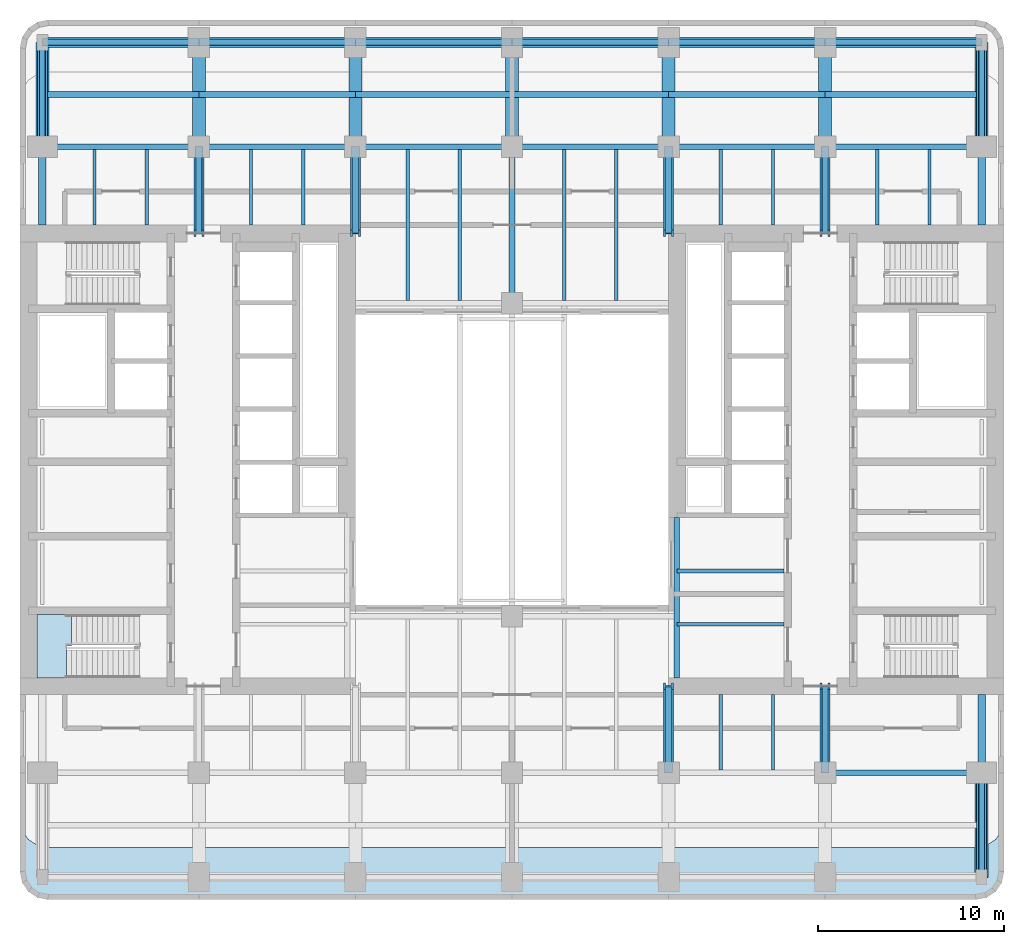
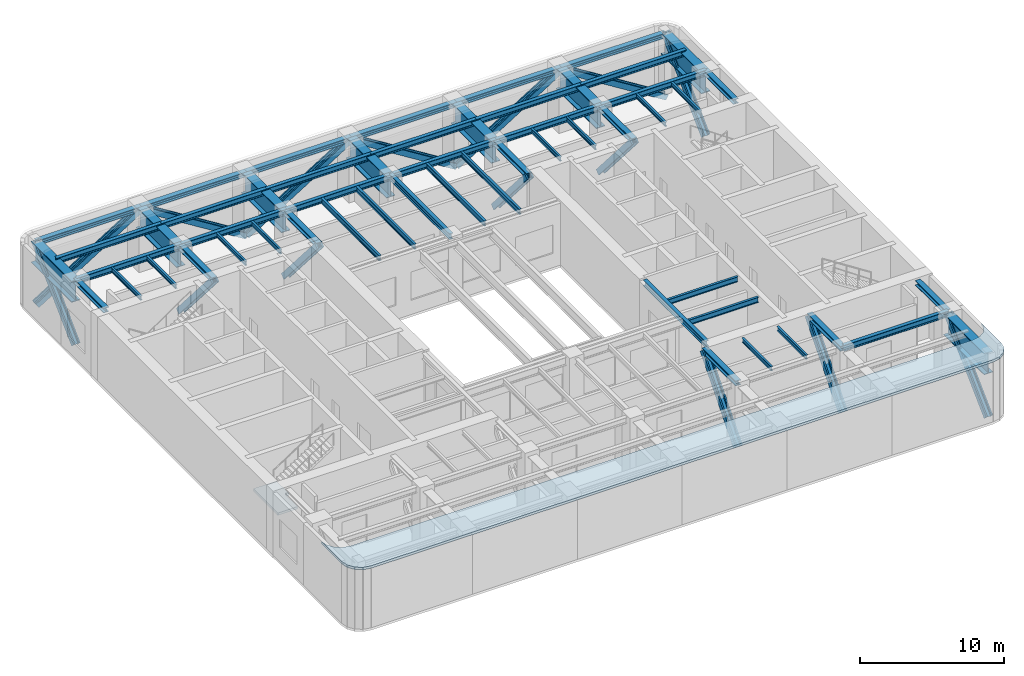
# One storey, part 2 of 10: 54 beams, 15 members, 2 slabs, 1 element without a shape of its own.
"""IFC4 building model written with IfcOpenShell, lengths in metres."""

from ifc_helpers import new_model, si_unit, direction, frame, origin, origin_2d, place, context, subcontext, project, spatial, polyline, i_section, outline, extrude, material, layer, layer_set, material_profile, profile_set, type_object, element, aggregate, save


model = new_model("IFC4")

# Units and contexts
model_context = context("Model", 3, precision=1e-05, world=origin(), true_north=direction((0.0, 1.0)))
body_context = subcontext(model_context, "Body", "Model", "MODEL_VIEW")
ifc_project = project(units=[si_unit("LENGTHUNIT", "METRE"), si_unit("AREAUNIT", "SQUARE_METRE"), si_unit("VOLUMEUNIT", "CUBIC_METRE"), si_unit("PLANEANGLEUNIT", "RADIAN"), si_unit("MASSUNIT", "GRAM", prefix="KILO")], contexts=[model_context])

# Site, building, storey
site_placement = place(None, origin())
site = spatial("IfcSite", under=ifc_project, at=site_placement, CompositionType="ELEMENT")
building_placement = place(site_placement, origin())
building = spatial("IfcBuilding", under=site, at=building_placement, Name="Claustro Exchange Tower", CompositionType="ELEMENT")
storey_placement = place(building_placement, frame((0.0, 0.0, 168.0)))
storey = spatial("IfcBuildingStorey", under=building, at=storey_placement, Name="L38", CompositionType="ELEMENT", Elevation=168.0)

# Beams
ifc_material_1 = material(Name="Steel S355", Category="steel")
ifc_material_profile_1 = material_profile(ifc_material_1, i_section(OverallWidth=0.169921875, OverallDepth=0.360107421875, WebThickness=0.008056640625, FlangeThickness=0.0126953125, FilletRadius=0.01806640625, at=origin_2d()), Name="IPE 360")
ifc_profile_set_1 = profile_set([ifc_material_profile_1], Name="Steel S355")
beam_type_1 = type_object("IfcBeamType", Name="B16 IPE 360 short-span beam", PredefinedType="BEAM", material=ifc_profile_set_1)
for number, where, z_axis, x_axis, name in (
    (1, (2.800048828125, 37.7900390625, 5.070068359375), (0.0, 1.0, 0.0), (-1.0, 0.0, 0.0), "Beam B16 L39"),
    (2, (5.60009765625, 37.7900390625, 5.070068359375), (0.0, 1.0, 0.0), (-1.0, 0.0, 0.0), "Beam B16 L39"),
    (3, (11.199951171875, 37.7900390625, 5.070068359375), (0.0, 1.0, 0.0), (-1.0, 0.0, 0.0), "Beam B16 L39"),
    (4, (14.0, 37.7900390625, 5.070068359375), (0.0, 1.0, 0.0), (-1.0, 0.0, 0.0), "Beam B16 L39"),
    (5, (36.39990234375, 8.550048828125, 5.070068359375), (0.0, 1.0, 0.0), (-1.0, 0.0, 0.0), "Beam B16 L39"),
    (6, (39.199951171875, 8.550048828125, 5.070068359375), (0.0, 1.0, 0.0), (-1.0, 0.0, 0.0), "Beam B16 L39"),
    (7, (36.39990234375, 37.7900390625, 5.070068359375), (0.0, 1.0, 0.0), (-1.0, 0.0, 0.0), "Beam B16 L39"),
    (8, (39.199951171875, 37.7900390625, 5.070068359375), (0.0, 1.0, 0.0), (-1.0, 0.0, 0.0), "Beam B16 L39"),
    (9, (44.800048828125, 37.7900390625, 5.070068359375), (0.0, 1.0, 0.0), (-1.0, 0.0, 0.0), "Beam B16 L39"),
    (10, (47.60009765625, 37.7900390625, 5.070068359375), (0.0, 1.0, 0.0), (-1.0, 0.0, 0.0), "Beam B16 L39"),
):
    element("IfcBeam", number, at=place(storey_placement, frame(where, z_axis=z_axis, x_axis=x_axis)), inside=storey, type_object=beam_type_1, Name=name, PredefinedType="BEAM", context=body_context, shape_type="SweptSolid", body=[
        extrude(i_section(OverallWidth=0.169921875, OverallDepth=0.360107421875, WebThickness=0.008056640625, FlangeThickness=0.0126953125, FilletRadius=0.01806640625, at=origin_2d()), origin(), (0.0, 0.0, 1.0), 4.06005859375),
    ])
ifc_material_2 = material(Name="Steel S355", Category="steel")
ifc_material_profile_2 = material_profile(ifc_material_2, i_section(OverallWidth=0.300048828125, OverallDepth=0.5, WebThickness=0.014404296875, FlangeThickness=0.028076171875, FilletRadius=0.027099609375, at=origin_2d()), Name="HE 500 B")
ifc_profile_set_2 = profile_set([ifc_material_profile_2], Name="Steel S355")
beam_type_2 = type_object("IfcBeamType", Name="B7 HE 500 B floor girder", PredefinedType="BEAM", material=ifc_profile_set_2)
for number, where, z_axis, x_axis, name in (
    (11, (25.199951171875, 33.60009765625, 5.0), (0.0, 1.0, 0.0), (-1.0, 0.0, 0.0), "Beam B7 L39"),
    (12, (42.0, 8.39990234375, 5.0), (1.0, 0.0, 0.0), (0.0, 1.0, 0.0), "Beam B7 L39"),
    (13, (0.0, 42.0, 5.0), (1.0, 0.0, 0.0), (0.0, 1.0, 0.0), "Beam B7 L39"),
):
    element("IfcBeam", number, at=place(storey_placement, frame(where, z_axis=z_axis, x_axis=x_axis)), inside=storey, type_object=beam_type_2, Name=name, PredefinedType="BEAM", context=body_context, shape_type="SweptSolid", body=[
        extrude(i_section(OverallWidth=0.300048828125, OverallDepth=0.5, WebThickness=0.014404296875, FlangeThickness=0.028076171875, FilletRadius=0.027099609375, at=origin_2d()), origin(), (0.0, 0.0, 1.0), 8.39990234375),
    ])
beam_1_placement = place(storey_placement, frame((8.39990234375, 42.0, 5.0), z_axis=(1.0, 0.0, 0.0), x_axis=(0.0, 1.0, 0.0)))
element("IfcBeam", 14, at=beam_1_placement, inside=storey, type_object=beam_type_2, Name="Beam B7 L39", PredefinedType="BEAM", context=body_context, shape_type="SweptSolid", body=[
    extrude(i_section(OverallWidth=0.300048828125, OverallDepth=0.5, WebThickness=0.014404296875, FlangeThickness=0.028076171875, FilletRadius=0.027099609375, at=origin_2d()), origin(), (0.0, 0.0, 1.0), 8.400146484375),
])
beam_2_placement = place(storey_placement, frame((16.800048828125, 42.0, 5.0), z_axis=(1.0, 0.0, 0.0), x_axis=(0.0, 1.0, 0.0)))
element("IfcBeam", 15, at=beam_2_placement, inside=storey, type_object=beam_type_2, Name="Beam B7 L39", PredefinedType="BEAM", context=body_context, shape_type="SweptSolid", body=[
    extrude(i_section(OverallWidth=0.300048828125, OverallDepth=0.5, WebThickness=0.014404296875, FlangeThickness=0.028076171875, FilletRadius=0.027099609375, at=origin_2d()), origin(), (0.0, 0.0, 1.0), 8.39990234375),
])
beam_3_placement = place(storey_placement, frame((25.199951171875, 42.0, 5.0), z_axis=(1.0, 0.0, 0.0), x_axis=(0.0, 1.0, 0.0)))
element("IfcBeam", 16, at=beam_3_placement, inside=storey, type_object=beam_type_2, Name="Beam B7 L39", PredefinedType="BEAM", context=body_context, shape_type="SweptSolid", body=[
    extrude(i_section(OverallWidth=0.300048828125, OverallDepth=0.5, WebThickness=0.014404296875, FlangeThickness=0.028076171875, FilletRadius=0.027099609375, at=origin_2d()), origin(), (0.0, 0.0, 1.0), 8.400146484375),
])
for number, where, z_axis, x_axis, name in (
    (17, (33.60009765625, 42.0, 5.0), (1.0, 0.0, 0.0), (0.0, 1.0, 0.0), "Beam B7 L39"),
    (18, (42.0, 42.0, 5.0), (1.0, 0.0, 0.0), (0.0, 1.0, 0.0), "Beam B7 L39"),
):
    element("IfcBeam", number, at=place(storey_placement, frame(where, z_axis=z_axis, x_axis=x_axis)), inside=storey, type_object=beam_type_2, Name=name, PredefinedType="BEAM", context=body_context, shape_type="SweptSolid", body=[
        extrude(i_section(OverallWidth=0.300048828125, OverallDepth=0.5, WebThickness=0.014404296875, FlangeThickness=0.028076171875, FilletRadius=0.027099609375, at=origin_2d()), origin(), (0.0, 0.0, 1.0), 8.39990234375),
    ])
beam_4_placement = place(storey_placement, frame((34.050048828125, 13.5, 5.0), z_axis=(0.0, 1.0, 0.0), x_axis=(-1.0, 0.0, 0.0)))
element("IfcBeam", 19, at=beam_4_placement, inside=storey, type_object=beam_type_2, Name="Beam B7 core step framing L39", PredefinedType="BEAM", context=body_context, shape_type="SweptSolid", body=[
    extrude(i_section(OverallWidth=0.300048828125, OverallDepth=0.5, WebThickness=0.014404296875, FlangeThickness=0.028076171875, FilletRadius=0.027099609375, at=origin_2d()), origin(), (0.0, 0.0, 1.0), 8.60009765625),
])
ifc_material_3 = material(Name="Steel S355", Category="steel")
ifc_material_profile_3 = material_profile(ifc_material_3, i_section(OverallWidth=0.18994140625, OverallDepth=0.449951171875, WebThickness=0.009521484375, FlangeThickness=0.0146484375, FilletRadius=0.02099609375, at=origin_2d()), Name="IPE 450")
ifc_profile_set_3 = profile_set([ifc_material_profile_3], Name="Steel S355")
beam_type_3 = type_object("IfcBeamType", Name="B8 IPE 450 secondary beam", PredefinedType="BEAM", material=ifc_profile_set_3)
for number, where, z_axis, x_axis, name in (
    (20, (19.60009765625, 33.75, 5.02490234375), (0.0, 1.0, 0.0), (-1.0, 0.0, 0.0), "Beam B8 L39"),
    (21, (22.39990234375, 33.75, 5.02490234375), (0.0, 1.0, 0.0), (-1.0, 0.0, 0.0), "Beam B8 L39"),
    (22, (28.0, 33.75, 5.02490234375), (0.0, 1.0, 0.0), (-1.0, 0.0, 0.0), "Beam B8 L39"),
    (23, (30.800048828125, 33.75, 5.02490234375), (0.0, 1.0, 0.0), (-1.0, 0.0, 0.0), "Beam B8 L39"),
):
    element("IfcBeam", number, at=place(storey_placement, frame(where, z_axis=z_axis, x_axis=x_axis)), inside=storey, type_object=beam_type_3, Name=name, PredefinedType="BEAM", context=body_context, shape_type="SweptSolid", body=[
        extrude(i_section(OverallWidth=0.18994140625, OverallDepth=0.449951171875, WebThickness=0.009521484375, FlangeThickness=0.0146484375, FilletRadius=0.02099609375, at=origin_2d()), origin(), (0.0, 0.0, 1.0), 8.10009765625),
    ])
for number, where, z_axis, x_axis, name in (
    (24, (34.050048828125, 16.36669921875, 5.02490234375), (1.0, 0.0, 0.0), (0.0, 1.0, 0.0), "Beam B8 core step framing L39"),
    (25, (34.050048828125, 19.2333984375, 5.02490234375), (1.0, 0.0, 0.0), (0.0, 1.0, 0.0), "Beam B8 core step framing L39"),
):
    element("IfcBeam", number, at=place(storey_placement, frame(where, z_axis=z_axis, x_axis=x_axis)), inside=storey, type_object=beam_type_3, Name=name, PredefinedType="BEAM", context=body_context, shape_type="SweptSolid", body=[
        extrude(i_section(OverallWidth=0.18994140625, OverallDepth=0.449951171875, WebThickness=0.009521484375, FlangeThickness=0.0146484375, FilletRadius=0.02099609375, at=origin_2d()), origin(), (0.0, 0.0, 1.0), 5.75),
    ])
ifc_material_4 = material(Name="Steel S355", Category="steel")
ifc_material_profile_4 = material_profile(ifc_material_4, i_section(OverallWidth=0.300048828125, OverallDepth=0.489990234375, WebThickness=0.011962890625, FlangeThickness=0.02294921875, FilletRadius=0.027099609375, at=origin_2d()), Name="HE 500 A")
ifc_profile_set_4 = profile_set([ifc_material_profile_4], Name="Steel S355")
beam_type_4 = type_object("IfcBeamType", Name="B9 HE 500 A spandrel edge girder", PredefinedType="SPANDREL", material=ifc_profile_set_4)
beam_5_placement = place(storey_placement, frame((0.0, 44.800048828125, 5.0048828125), z_axis=(1.0, 0.0, 0.0), x_axis=(0.0, 1.0, 0.0)))
element("IfcBeam", 26, at=beam_5_placement, inside=storey, type_object=beam_type_4, Name="Beam B9 L39", PredefinedType="SPANDREL", context=body_context, shape_type="SweptSolid", body=[
    extrude(i_section(OverallWidth=0.300048828125, OverallDepth=0.489990234375, WebThickness=0.011962890625, FlangeThickness=0.02294921875, FilletRadius=0.027099609375, at=origin_2d()), origin(), (0.0, 0.0, 1.0), 8.39990234375),
])
beam_6_placement = place(storey_placement, frame((8.39990234375, 44.800048828125, 5.0048828125), z_axis=(1.0, 0.0, 0.0), x_axis=(0.0, 1.0, 0.0)))
element("IfcBeam", 27, at=beam_6_placement, inside=storey, type_object=beam_type_4, Name="Beam B9 L39", PredefinedType="SPANDREL", context=body_context, shape_type="SweptSolid", body=[
    extrude(i_section(OverallWidth=0.300048828125, OverallDepth=0.489990234375, WebThickness=0.011962890625, FlangeThickness=0.02294921875, FilletRadius=0.027099609375, at=origin_2d()), origin(), (0.0, 0.0, 1.0), 8.400146484375),
])
beam_7_placement = place(storey_placement, frame((16.800048828125, 44.800048828125, 5.0048828125), z_axis=(1.0, 0.0, 0.0), x_axis=(0.0, 1.0, 0.0)))
element("IfcBeam", 28, at=beam_7_placement, inside=storey, type_object=beam_type_4, Name="Beam B9 L39", PredefinedType="SPANDREL", context=body_context, shape_type="SweptSolid", body=[
    extrude(i_section(OverallWidth=0.300048828125, OverallDepth=0.489990234375, WebThickness=0.011962890625, FlangeThickness=0.02294921875, FilletRadius=0.027099609375, at=origin_2d()), origin(), (0.0, 0.0, 1.0), 8.39990234375),
])
beam_8_placement = place(storey_placement, frame((25.199951171875, 44.800048828125, 5.0048828125), z_axis=(1.0, 0.0, 0.0), x_axis=(0.0, 1.0, 0.0)))
element("IfcBeam", 29, at=beam_8_placement, inside=storey, type_object=beam_type_4, Name="Beam B9 L39", PredefinedType="SPANDREL", context=body_context, shape_type="SweptSolid", body=[
    extrude(i_section(OverallWidth=0.300048828125, OverallDepth=0.489990234375, WebThickness=0.011962890625, FlangeThickness=0.02294921875, FilletRadius=0.027099609375, at=origin_2d()), origin(), (0.0, 0.0, 1.0), 8.400146484375),
])
for number, where, z_axis, x_axis, name in (
    (30, (33.60009765625, 44.800048828125, 5.0048828125), (1.0, 0.0, 0.0), (0.0, 1.0, 0.0), "Beam B9 L39"),
    (31, (42.0, 44.800048828125, 5.0048828125), (1.0, 0.0, 0.0), (0.0, 1.0, 0.0), "Beam B9 L39"),
):
    element("IfcBeam", number, at=place(storey_placement, frame(where, z_axis=z_axis, x_axis=x_axis)), inside=storey, type_object=beam_type_4, Name=name, PredefinedType="SPANDREL", context=body_context, shape_type="SweptSolid", body=[
        extrude(i_section(OverallWidth=0.300048828125, OverallDepth=0.489990234375, WebThickness=0.011962890625, FlangeThickness=0.02294921875, FilletRadius=0.027099609375, at=origin_2d()), origin(), (0.0, 0.0, 1.0), 8.39990234375),
    ])
ifc_material_5 = material(Name="Steel S460", Category="steel")
ifc_material_profile_5 = material_profile(ifc_material_5, i_section(OverallWidth=0.404052734375, OverallDepth=0.406982421875, WebThickness=0.027099609375, FlangeThickness=0.043701171875, FilletRadius=0.014892578125, at=origin_2d()), Name="HD 400x347")
ifc_profile_set_5 = profile_set([ifc_material_profile_5], Name="Steel S460")
beam_type_5 = type_object("IfcBeamType", Name="BT3 HD 400x347 belt truss chord", PredefinedType="BEAM", material=ifc_profile_set_5)
beam_9_placement = place(storey_placement, frame((0.0, 37.800048828125, 5.04638671875), z_axis=(0.0, 1.0, 0.0), x_axis=(-1.0, 0.0, 0.0)))
element("IfcBeam", 32, at=beam_9_placement, inside=storey, type_object=beam_type_5, Name="Beam BT3 L39", PredefinedType="BEAM", context=body_context, shape_type="SweptSolid", body=[
    extrude(i_section(OverallWidth=0.404052734375, OverallDepth=0.406982421875, WebThickness=0.027099609375, FlangeThickness=0.043701171875, FilletRadius=0.014892578125, at=origin_2d()), origin(), (0.0, 0.0, 1.0), 4.199951171875),
])
beam_10_placement = place(storey_placement, frame((50.39990234375, 8.39990234375, 5.04638671875), z_axis=(0.0, 1.0, 0.0), x_axis=(-1.0, 0.0, 0.0)))
element("IfcBeam", 33, at=beam_10_placement, inside=storey, type_object=beam_type_5, Name="Beam BT3 L39", PredefinedType="BEAM", context=body_context, shape_type="SweptSolid", body=[
    extrude(i_section(OverallWidth=0.404052734375, OverallDepth=0.406982421875, WebThickness=0.027099609375, FlangeThickness=0.043701171875, FilletRadius=0.014892578125, at=origin_2d()), origin(), (0.0, 0.0, 1.0), 4.2001953125),
])
beam_11_placement = place(storey_placement, frame((50.39990234375, 37.800048828125, 5.04638671875), z_axis=(0.0, 1.0, 0.0), x_axis=(-1.0, 0.0, 0.0)))
element("IfcBeam", 34, at=beam_11_placement, inside=storey, type_object=beam_type_5, Name="Beam BT3 L39", PredefinedType="BEAM", context=body_context, shape_type="SweptSolid", body=[
    extrude(i_section(OverallWidth=0.404052734375, OverallDepth=0.406982421875, WebThickness=0.027099609375, FlangeThickness=0.043701171875, FilletRadius=0.014892578125, at=origin_2d()), origin(), (0.0, 0.0, 1.0), 4.199951171875),
])
beam_12_placement = place(storey_placement, frame((0.0, 47.60009765625, 4.83642578125), z_axis=(1.0, 0.0, 0.0), x_axis=(0.0, 1.0, 0.0)))
element("IfcBeam", 35, at=beam_12_placement, inside=storey, type_object=beam_type_5, Name="Beam BT3 L39", PredefinedType="BEAM", context=body_context, shape_type="SweptSolid", body=[
    extrude(i_section(OverallWidth=0.404052734375, OverallDepth=0.406982421875, WebThickness=0.027099609375, FlangeThickness=0.043701171875, FilletRadius=0.014892578125, at=origin_2d()), origin(), (0.0, 0.0, 1.0), 8.39990234375),
])
beam_13_placement = place(storey_placement, frame((8.39990234375, 47.60009765625, 4.83642578125), z_axis=(1.0, 0.0, 0.0), x_axis=(0.0, 1.0, 0.0)))
element("IfcBeam", 36, at=beam_13_placement, inside=storey, type_object=beam_type_5, Name="Beam BT3 L39", PredefinedType="BEAM", context=body_context, shape_type="SweptSolid", body=[
    extrude(i_section(OverallWidth=0.404052734375, OverallDepth=0.406982421875, WebThickness=0.027099609375, FlangeThickness=0.043701171875, FilletRadius=0.014892578125, at=origin_2d()), origin(), (0.0, 0.0, 1.0), 8.400146484375),
])
beam_14_placement = place(storey_placement, frame((16.800048828125, 47.60009765625, 4.83642578125), z_axis=(1.0, 0.0, 0.0), x_axis=(0.0, 1.0, 0.0)))
element("IfcBeam", 37, at=beam_14_placement, inside=storey, type_object=beam_type_5, Name="Beam BT3 L39", PredefinedType="BEAM", context=body_context, shape_type="SweptSolid", body=[
    extrude(i_section(OverallWidth=0.404052734375, OverallDepth=0.406982421875, WebThickness=0.027099609375, FlangeThickness=0.043701171875, FilletRadius=0.014892578125, at=origin_2d()), origin(), (0.0, 0.0, 1.0), 8.39990234375),
])
beam_15_placement = place(storey_placement, frame((25.199951171875, 47.60009765625, 4.83642578125), z_axis=(1.0, 0.0, 0.0), x_axis=(0.0, 1.0, 0.0)))
element("IfcBeam", 38, at=beam_15_placement, inside=storey, type_object=beam_type_5, Name="Beam BT3 L39", PredefinedType="BEAM", context=body_context, shape_type="SweptSolid", body=[
    extrude(i_section(OverallWidth=0.404052734375, OverallDepth=0.406982421875, WebThickness=0.027099609375, FlangeThickness=0.043701171875, FilletRadius=0.014892578125, at=origin_2d()), origin(), (0.0, 0.0, 1.0), 8.400146484375),
])
for number, where, z_axis, x_axis, name in (
    (39, (33.60009765625, 47.60009765625, 4.83642578125), (1.0, 0.0, 0.0), (0.0, 1.0, 0.0), "Beam BT3 L39"),
    (40, (42.0, 47.60009765625, 4.83642578125), (1.0, 0.0, 0.0), (0.0, 1.0, 0.0), "Beam BT3 L39"),
):
    element("IfcBeam", number, at=place(storey_placement, frame(where, z_axis=z_axis, x_axis=x_axis)), inside=storey, type_object=beam_type_5, Name=name, PredefinedType="BEAM", context=body_context, shape_type="SweptSolid", body=[
        extrude(i_section(OverallWidth=0.404052734375, OverallDepth=0.406982421875, WebThickness=0.027099609375, FlangeThickness=0.043701171875, FilletRadius=0.014892578125, at=origin_2d()), origin(), (0.0, 0.0, 1.0), 8.39990234375),
    ])

# Members
ifc_material_6 = material(Name="Steel S460", Category="steel")
ifc_material_profile_6 = material_profile(ifc_material_6, i_section(OverallWidth=0.44189453125, OverallDepth=0.531005859375, WebThickness=0.06591796875, FlangeThickness=0.10595703125, FilletRadius=0.014892578125, at=origin_2d()), Name="HD 400x900")
ifc_profile_set_6 = profile_set([ifc_material_profile_6], Name="Steel S460")
member_type_1 = type_object("IfcMemberType", Name="BT4 HD 400x900 belt truss diagonal", PredefinedType="BRACE", material=ifc_profile_set_6)
for number, where, z_axis, x_axis, name in (
    (41, (0.0, 47.60009765625, -0.403564453125), (0.84844963308, 0.0, 0.529276128431), (-0.529276128431, 0.0, 0.84844963308), "Belt truss diagonal BT4 L38"),
    (42, (16.800048828125, 47.60009765625, -0.403564453125), (-0.848456540929, 0.0, 0.529265054726), (0.529265054726, 0.0, 0.848456540929), "Belt truss diagonal BT4 L38"),
    (43, (16.800048828125, 47.60009765625, -0.403564453125), (0.84844963308, 0.0, 0.529276128431), (-0.529276128431, 0.0, 0.84844963308), "Belt truss diagonal BT4 L38"),
    (44, (33.60009765625, 47.60009765625, -0.403564453125), (-0.848456540929, 0.0, 0.529265054726), (0.529265054726, 0.0, 0.848456540929), "Belt truss diagonal BT4 L38"),
    (45, (33.60009765625, 47.60009765625, -0.403564453125), (0.84844963308, 0.0, 0.529276128431), (-0.529276128431, 0.0, 0.84844963308), "Belt truss diagonal BT4 L38"),
    (46, (50.39990234375, 47.60009765625, -0.403564453125), (-0.84844963308, 0.0, 0.529276128431), (0.529276128431, 0.0, 0.84844963308), "Belt truss diagonal BT4 L38"),
):
    element("IfcMember", number, at=place(storey_placement, frame(where, z_axis=z_axis, x_axis=x_axis)), inside=storey, type_object=member_type_1, Name=name, PredefinedType="BRACE", context=body_context, shape_type="SweptSolid", body=[
        extrude(i_section(OverallWidth=0.44189453125, OverallDepth=0.531005859375, WebThickness=0.06591796875, FlangeThickness=0.10595703125, FilletRadius=0.014892578125, at=origin_2d()), origin(), (0.0, 0.0, 1.0), 9.900390625),
    ])
for number, where, z_axis, x_axis, name in (
    (47, (0.0, 42.0, -0.403564453125), (0.0, 0.71664869276, 0.697434334662), (0.0, -0.697434334662, 0.71664869276), "Belt truss diagonal BT4 L38"),
    (48, (50.39990234375, 2.800048828125, -0.403564453125), (0.0, 0.716633495265, 0.697449950508), (0.0, -0.697449950508, 0.716633495265), "Belt truss diagonal BT4 L38"),
    (49, (50.39990234375, 42.0, -0.403564453125), (0.0, 0.71664869276, 0.697434334662), (0.0, -0.697434334662, 0.71664869276), "Belt truss diagonal BT4 L38"),
):
    element("IfcMember", number, at=place(storey_placement, frame(where, z_axis=z_axis, x_axis=x_axis)), inside=storey, type_object=member_type_1, Name=name, PredefinedType="BRACE", context=body_context, shape_type="SweptSolid", body=[
        extrude(i_section(OverallWidth=0.44189453125, OverallDepth=0.531005859375, WebThickness=0.06591796875, FlangeThickness=0.10595703125, FilletRadius=0.014892578125, at=origin_2d()), origin(), (0.0, 0.0, 1.0), 7.814208984375),
    ])

# Beams
ifc_material_7 = material(Name="Steel S460", Category="steel")
ifc_material_profile_7 = material_profile(ifc_material_7, i_section(OverallWidth=0.422119140625, OverallDepth=0.425048828125, WebThickness=0.035888671875, FlangeThickness=0.05810546875, FilletRadius=0.014892578125, at=origin_2d()), Name="HD 400x463")
ifc_profile_set_7 = profile_set([ifc_material_profile_7], Name="Steel S460")
beam_type_6 = type_object("IfcBeamType", Name="OT3 HD 400x463 OUTRIGGER truss chord", PredefinedType="BEAM", material=ifc_profile_set_7)
for number, where, z_axis, x_axis, name in (
    (50, (8.39990234375, 37.35009765625, 4.9375), (0.0, 1.0, 0.0), (-1.0, 0.0, 0.0), "Beam OT3 L39"),
    (51, (16.800048828125, 37.35009765625, 4.9375), (0.0, 1.0, 0.0), (-1.0, 0.0, 0.0), "Beam OT3 L39"),
):
    element("IfcBeam", number, at=place(storey_placement, frame(where, z_axis=z_axis, x_axis=x_axis)), inside=storey, type_object=beam_type_6, Name=name, PredefinedType="BEAM", context=body_context, shape_type="SweptSolid", body=[
        extrude(i_section(OverallWidth=0.422119140625, OverallDepth=0.425048828125, WebThickness=0.035888671875, FlangeThickness=0.05810546875, FilletRadius=0.014892578125, at=origin_2d()), origin(), (0.0, 0.0, 1.0), 4.64990234375),
    ])
beam_16_placement = place(storey_placement, frame((33.60009765625, 8.39990234375, 4.9375), z_axis=(0.0, 1.0, 0.0), x_axis=(-1.0, 0.0, 0.0)))
element("IfcBeam", 52, at=beam_16_placement, inside=storey, type_object=beam_type_6, Name="Beam OT3 L39", PredefinedType="BEAM", context=body_context, shape_type="SweptSolid", body=[
    extrude(i_section(OverallWidth=0.422119140625, OverallDepth=0.425048828125, WebThickness=0.035888671875, FlangeThickness=0.05810546875, FilletRadius=0.014892578125, at=origin_2d()), origin(), (0.0, 0.0, 1.0), 4.650146484375),
])
beam_17_placement = place(storey_placement, frame((33.60009765625, 37.35009765625, 4.9375), z_axis=(0.0, 1.0, 0.0), x_axis=(-1.0, 0.0, 0.0)))
element("IfcBeam", 53, at=beam_17_placement, inside=storey, type_object=beam_type_6, Name="Beam OT3 L39", PredefinedType="BEAM", context=body_context, shape_type="SweptSolid", body=[
    extrude(i_section(OverallWidth=0.422119140625, OverallDepth=0.425048828125, WebThickness=0.035888671875, FlangeThickness=0.05810546875, FilletRadius=0.014892578125, at=origin_2d()), origin(), (0.0, 0.0, 1.0), 4.64990234375),
])
beam_18_placement = place(storey_placement, frame((42.0, 8.39990234375, 4.9375), z_axis=(0.0, 1.0, 0.0), x_axis=(-1.0, 0.0, 0.0)))
element("IfcBeam", 54, at=beam_18_placement, inside=storey, type_object=beam_type_6, Name="Beam OT3 L39", PredefinedType="BEAM", context=body_context, shape_type="SweptSolid", body=[
    extrude(i_section(OverallWidth=0.422119140625, OverallDepth=0.425048828125, WebThickness=0.035888671875, FlangeThickness=0.05810546875, FilletRadius=0.014892578125, at=origin_2d()), origin(), (0.0, 0.0, 1.0), 4.650146484375),
])
beam_19_placement = place(storey_placement, frame((42.0, 37.35009765625, 4.9375), z_axis=(0.0, 1.0, 0.0), x_axis=(-1.0, 0.0, 0.0)))
element("IfcBeam", 55, at=beam_19_placement, inside=storey, type_object=beam_type_6, Name="Beam OT3 L39", PredefinedType="BEAM", context=body_context, shape_type="SweptSolid", body=[
    extrude(i_section(OverallWidth=0.422119140625, OverallDepth=0.425048828125, WebThickness=0.035888671875, FlangeThickness=0.05810546875, FilletRadius=0.014892578125, at=origin_2d()), origin(), (0.0, 0.0, 1.0), 4.64990234375),
])

# Members
ifc_material_8 = material(Name="Steel S460", Category="steel")
ifc_material_profile_8 = material_profile(ifc_material_8, i_section(OverallWidth=0.447998046875, OverallDepth=0.550048828125, WebThickness=0.072021484375, FlangeThickness=0.114990234375, FilletRadius=0.014892578125, at=origin_2d()), Name="HD 400x990")
ifc_profile_set_8 = profile_set([ifc_material_profile_8], Name="Steel S460")
member_type_2 = type_object("IfcMemberType", Name="OT4 HD 400x990 OUTRIGGER truss diagonal", PredefinedType="BRACE", material=ifc_profile_set_8)
for number, where, z_axis, x_axis, name in (
    (56, (8.39990234375, 42.0, -0.46240234375), (0.0, -0.652522042429, 0.757769743487), (0.0, 0.757769743487, 0.652522042429), "Outrigger truss diagonal OT4 L38"),
    (57, (16.800048828125, 42.0, -0.46240234375), (0.0, -0.652522042429, 0.757769743487), (0.0, 0.757769743487, 0.652522042429), "Outrigger truss diagonal OT4 L38"),
):
    element("IfcMember", number, at=place(storey_placement, frame(where, z_axis=z_axis, x_axis=x_axis)), inside=storey, type_object=member_type_2, Name=name, PredefinedType="BRACE", context=body_context, shape_type="SweptSolid", body=[
        extrude(i_section(OverallWidth=0.447998046875, OverallDepth=0.550048828125, WebThickness=0.072021484375, FlangeThickness=0.114990234375, FilletRadius=0.014892578125, at=origin_2d()), origin(), (0.0, 0.0, 1.0), 7.1259765625),
    ])
member_1_placement = place(storey_placement, frame((33.60009765625, 8.39990234375, -0.46240234375), z_axis=(0.0, 0.652541714558, 0.757752803203), x_axis=(0.0, -0.757752803203, 0.652541714558)))
element("IfcMember", 58, at=member_1_placement, inside=storey, type_object=member_type_2, Name="Outrigger truss diagonal OT4 L38", PredefinedType="BRACE", context=body_context, shape_type="SweptSolid", body=[
    extrude(i_section(OverallWidth=0.447998046875, OverallDepth=0.550048828125, WebThickness=0.072021484375, FlangeThickness=0.114990234375, FilletRadius=0.014892578125, at=origin_2d()), origin(), (0.0, 0.0, 1.0), 7.126220703125),
])
member_2_placement = place(storey_placement, frame((33.60009765625, 42.0, -0.46240234375), z_axis=(0.0, -0.652522042429, 0.757769743487), x_axis=(0.0, 0.757769743487, 0.652522042429)))
element("IfcMember", 59, at=member_2_placement, inside=storey, type_object=member_type_2, Name="Outrigger truss diagonal OT4 L38", PredefinedType="BRACE", context=body_context, shape_type="SweptSolid", body=[
    extrude(i_section(OverallWidth=0.447998046875, OverallDepth=0.550048828125, WebThickness=0.072021484375, FlangeThickness=0.114990234375, FilletRadius=0.014892578125, at=origin_2d()), origin(), (0.0, 0.0, 1.0), 7.1259765625),
])
member_3_placement = place(storey_placement, frame((42.0, 8.39990234375, -0.46240234375), z_axis=(0.0, 0.652541714558, 0.757752803203), x_axis=(0.0, -0.757752803203, 0.652541714558)))
element("IfcMember", 60, at=member_3_placement, inside=storey, type_object=member_type_2, Name="Outrigger truss diagonal OT4 L38", PredefinedType="BRACE", context=body_context, shape_type="SweptSolid", body=[
    extrude(i_section(OverallWidth=0.447998046875, OverallDepth=0.550048828125, WebThickness=0.072021484375, FlangeThickness=0.114990234375, FilletRadius=0.014892578125, at=origin_2d()), origin(), (0.0, 0.0, 1.0), 7.126220703125),
])
member_4_placement = place(storey_placement, frame((42.0, 42.0, -0.46240234375), z_axis=(0.0, -0.652522042429, 0.757769743487), x_axis=(0.0, 0.757769743487, 0.652522042429)))
element("IfcMember", 61, at=member_4_placement, inside=storey, type_object=member_type_2, Name="Outrigger truss diagonal OT4 L38", PredefinedType="BRACE", context=body_context, shape_type="SweptSolid", body=[
    extrude(i_section(OverallWidth=0.447998046875, OverallDepth=0.550048828125, WebThickness=0.072021484375, FlangeThickness=0.114990234375, FilletRadius=0.014892578125, at=origin_2d()), origin(), (0.0, 0.0, 1.0), 7.1259765625),
])

# Beams
ifc_material_9 = material(Name="Steel S460", Category="steel")
ifc_material_profile_9 = material_profile(ifc_material_9, i_section(OverallWidth=0.699951171875, OverallDepth=1.800048828125, WebThickness=0.0400390625, FlangeThickness=0.06005859375, at=origin_2d()), Name="PG 1800x700")
ifc_profile_set_9 = profile_set([ifc_material_profile_9], Name="Steel S460")
beam_type_7 = type_object("IfcBeamType", Name="TG2 PG 1800x700 transfer girder", PredefinedType="BEAM", material=ifc_profile_set_9)
for number, where, z_axis, x_axis, name in (
    (62, (0.0, 42.0, 4.139892578125), (0.0, 1.0, 0.0), (-1.0, 0.0, 0.0), "Beam TG2 L39"),
    (63, (8.39990234375, 42.0, 4.139892578125), (0.0, 1.0, 0.0), (-1.0, 0.0, 0.0), "Beam TG2 L39"),
    (64, (16.800048828125, 42.0, 4.139892578125), (0.0, 1.0, 0.0), (-1.0, 0.0, 0.0), "Beam TG2 L39"),
    (65, (25.199951171875, 42.0, 4.139892578125), (0.0, 1.0, 0.0), (-1.0, 0.0, 0.0), "Beam TG2 L39"),
    (66, (33.60009765625, 42.0, 4.139892578125), (0.0, 1.0, 0.0), (-1.0, 0.0, 0.0), "Beam TG2 L39"),
    (67, (42.0, 42.0, 4.139892578125), (0.0, 1.0, 0.0), (-1.0, 0.0, 0.0), "Beam TG2 L39"),
):
    element("IfcBeam", number, at=place(storey_placement, frame(where, z_axis=z_axis, x_axis=x_axis)), inside=storey, type_object=beam_type_7, Name=name, PredefinedType="BEAM", context=body_context, shape_type="SweptSolid", body=[
        extrude(i_section(OverallWidth=0.699951171875, OverallDepth=1.800048828125, WebThickness=0.0400390625, FlangeThickness=0.06005859375, at=origin_2d()), origin(), (0.0, 0.0, 1.0), 5.60009765625),
    ])
beam_20_placement = place(storey_placement, frame((50.39990234375, 2.800048828125, 4.139892578125), z_axis=(0.0, 1.0, 0.0), x_axis=(-1.0, 0.0, 0.0)))
element("IfcBeam", 68, at=beam_20_placement, inside=storey, type_object=beam_type_7, Name="Beam TG2 L39", PredefinedType="BEAM", context=body_context, shape_type="SweptSolid", body=[
    extrude(i_section(OverallWidth=0.699951171875, OverallDepth=1.800048828125, WebThickness=0.0400390625, FlangeThickness=0.06005859375, at=origin_2d()), origin(), (0.0, 0.0, 1.0), 5.599853515625),
])
beam_21_placement = place(storey_placement, frame((50.39990234375, 42.0, 4.139892578125), z_axis=(0.0, 1.0, 0.0), x_axis=(-1.0, 0.0, 0.0)))
element("IfcBeam", 69, at=beam_21_placement, inside=storey, type_object=beam_type_7, Name="Beam TG2 L39", PredefinedType="BEAM", context=body_context, shape_type="SweptSolid", body=[
    extrude(i_section(OverallWidth=0.699951171875, OverallDepth=1.800048828125, WebThickness=0.0400390625, FlangeThickness=0.06005859375, at=origin_2d()), origin(), (0.0, 0.0, 1.0), 5.60009765625),
])

# Slab
ifc_material_10 = material(Name="Concrete HA-50 (C50/60)", Category="concrete")
ifc_layer_1 = layer(ifc_material_10, 0.199951171875)
ifc_layer_set_1 = layer_set([ifc_layer_1], Name="Concrete HA-50 (C50/60)")
slab_type_1 = type_object("IfcSlabType", Name="S6 200 roof slab", PredefinedType="ROOF", material=ifc_layer_set_1)
slab_1_placement = place(storey_placement, frame((0.0, 0.0, 5.0400390625)))
element("IfcSlab", 70, at=slab_1_placement, inside=storey, type_object=slab_type_1, Name="Roof slab S6 S over L38", PredefinedType="ROOF", context=body_context, shape_type="SweptSolid", body=[
    extrude(outline(polyline([(-0.27392578125, 1.714111328125), (0.300048828125, 1.60009765625), (50.10009765625, 1.60009765625), (50.674072265625, 1.714111328125), (51.16064453125, 2.039306640625), (51.48583984375, 2.52587890625), (51.60009765625, 3.10009765625), (51.60009765625, 5.89990234375), (51.48583984375, 5.325927734375), (51.16064453125, 4.83935546875), (50.674072265625, 4.51416015625), (50.10009765625, 4.39990234375), (0.300048828125, 4.39990234375), (-0.27392578125, 4.51416015625), (-0.7607421875, 4.83935546875), (-1.085693359375, 5.325927734375), (-1.199951171875, 5.89990234375), (-1.199951171875, 3.10009765625), (-1.085693359375, 2.52587890625), (-0.7607421875, 2.039306640625), (-0.27392578125, 1.714111328125)])), origin(), (0.0, 0.0, 1.0), 0.199951171875),
])

# Stair, slab
ifc_material_11 = material(Name="Concrete HA-30 (C30/37), precast", Category="concrete")
stair_type = type_object("IfcStairType", Name="ST3 half-turn stair, 30 risers of 180", PredefinedType="HALF_TURN_STAIR", material=ifc_material_11)
stair_placement = place(storey_placement, origin())
stair = element("IfcStair", 71, at=stair_placement, inside=storey, type_object=stair_type, Name="Stair STWA L38", PredefinedType="HALF_TURN_STAIR")
ifc_material_12 = material(Name="Concrete HA-30 (C30/37), precast", Category="concrete")
ifc_layer_2 = layer(ifc_material_12, 0.199951171875)
ifc_layer_set_2 = layer_set([ifc_layer_2], Name="Concrete HA-30 (C30/37), precast")
slab_type_2 = type_object("IfcSlabType", Name="S9 200 stair landing", PredefinedType="LANDING", material=ifc_layer_set_2)
slab_2_placement = place(storey_placement, frame((0.0, 0.0, 2.5)))
slab_2 = element("IfcSlab", 72, at=slab_2_placement, type_object=slab_type_2, Name="STWA landing 1", PredefinedType="LANDING", context=body_context, shape_type="SweptSolid", body=[
    extrude(outline(polyline([(1.284912109375, 13.5), (-0.300048828125, 13.5), (-0.300048828125, 16.89990234375), (1.280029296875, 16.89990234375), (1.284912109375, 16.89990234375), (1.56005859375, 16.89990234375), (1.56005859375, 15.199951171875), (1.284912109375, 15.199951171875), (1.284912109375, 13.5)])), origin(), (0.0, 0.0, 1.0), 0.199951171875),
])
aggregate(stair, [slab_2])

save(model, "model.ifc")
